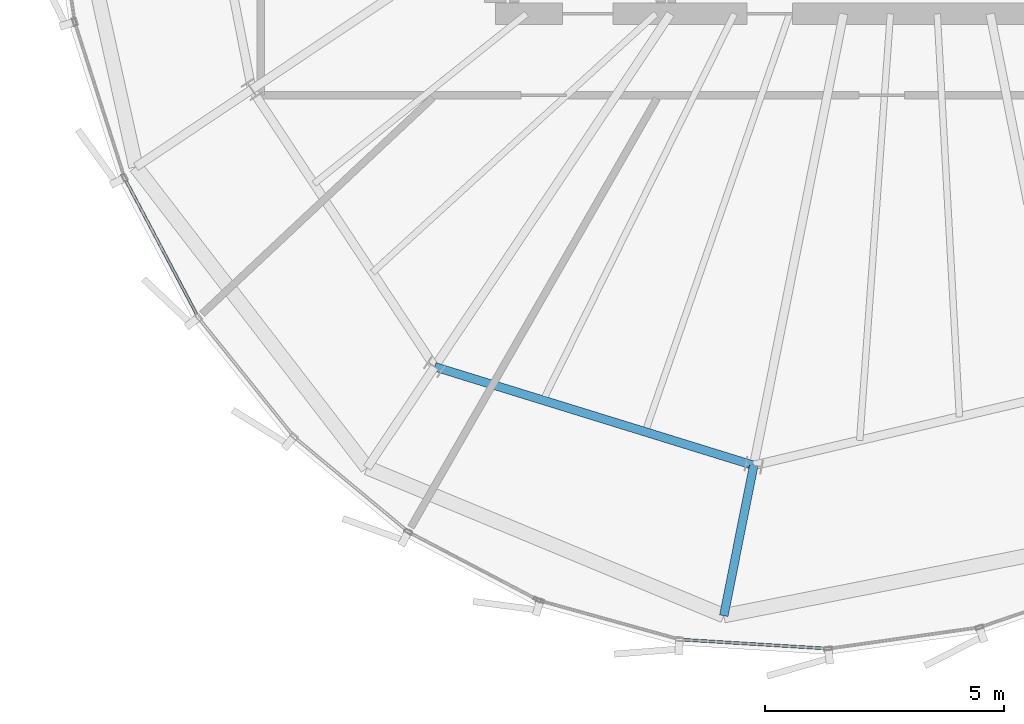
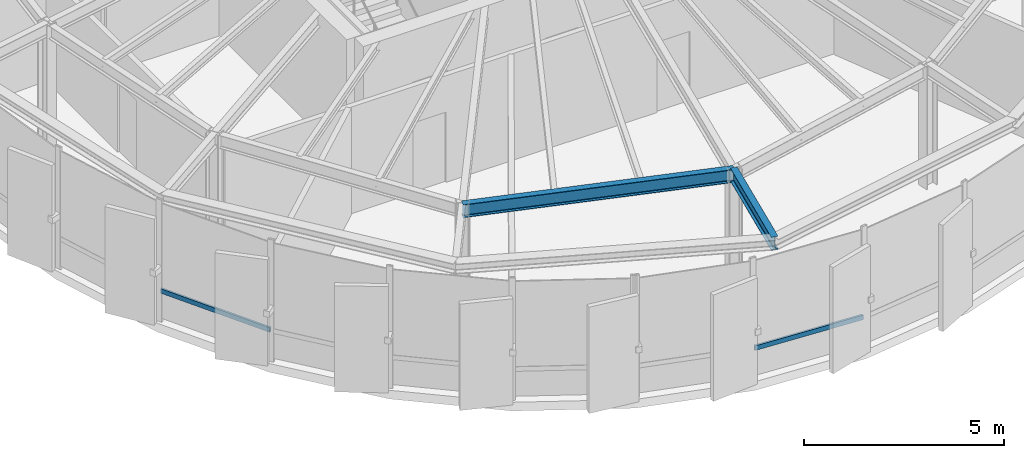
# One storey, part 3 of 27: 2 beams, 2 members, 2 elements without a shape of their own.
"""IFC4 building model written with IfcOpenShell, lengths in metres."""

from ifc_helpers import new_model, si_unit, direction, frame, origin, origin_2d, place, context, subcontext, project, spatial, hollow_rectangle, i_section, extrude, source, transform, mapped, material, layer, layer_set, material_profile, profile_set, type_object, element, aggregate, save


model = new_model("IFC4")

# Units and contexts
model_context = context("Model", 3, precision=1e-05, world=origin(), true_north=direction((0.0, 1.0)))
body_context = subcontext(model_context, "Body", "Model", "MODEL_VIEW")
ifc_project = project(units=[si_unit("LENGTHUNIT", "METRE"), si_unit("AREAUNIT", "SQUARE_METRE"), si_unit("VOLUMEUNIT", "CUBIC_METRE"), si_unit("PLANEANGLEUNIT", "RADIAN"), si_unit("MASSUNIT", "GRAM", prefix="KILO"), si_unit("THERMODYNAMICTEMPERATUREUNIT", "KELVIN")], contexts=[model_context])

# Site, building, storey
site_placement = place(None, origin())
site = spatial("IfcSite", under=ifc_project, at=site_placement, CompositionType="ELEMENT")
building_placement = place(site_placement, origin())
building = spatial("IfcBuilding", under=site, at=building_placement, Name="Kethvar Cultural Tower", CompositionType="ELEMENT")
storey_placement = place(building_placement, frame((0.0, 0.0, 308.300048828125)))
storey = spatial("IfcBuildingStorey", under=building, at=storey_placement, Name="L82", CompositionType="ELEMENT", Elevation=308.300048828125)

# Beams
ifc_material_1 = material(Name="Steel S355J2", Category="steel")
ifc_material_profile_1 = material_profile(ifc_material_1, i_section(OverallWidth=0.179931640625, OverallDepth=0.39990234375, WebThickness=0.008544921875, FlangeThickness=0.013427734375, FilletRadius=0.02099609375, at=origin_2d()), Name="Steel S355J2 — IPE400")
ifc_profile_set_1 = profile_set([ifc_material_profile_1], Name="Steel S355J2 — IPE400")
beam_type = type_object("IfcBeamType", Name="BM-IPE400", PredefinedType="BEAM", material=ifc_profile_set_1)
shared_shape_1 = source(origin(), body_context, "Body", "SweptSolid", [
    extrude(i_section(OverallWidth=0.179931640625, OverallDepth=0.39990234375, WebThickness=0.008544921875, FlangeThickness=0.013427734375, FilletRadius=0.02099609375, at=origin_2d()), origin(), (0.0, 0.0, 1.0), 3.2001953125),
])
beam_1_placement = place(storey_placement, frame((43.392822265625, 10.67138671875, 3.532958984375), z_axis=(-0.195074368086, -0.980788453702, 0.0), x_axis=(0.980788453702, -0.195074368086, 0.0)))
element("IfcBeam", 1, at=beam_1_placement, inside=storey, type_object=beam_type, Name="L82 Perimeter Cantilever Beam RC-12", PredefinedType="BEAM", context=body_context, shape_type="MappedRepresentation", body=[
    mapped(shared_shape_1, transform((0.0, 0.0, 0.0), scale=1.0)),
])
shared_shape_2 = source(origin(), body_context, "Body", "SweptSolid", [
    extrude(i_section(OverallWidth=0.179931640625, OverallDepth=0.39990234375, WebThickness=0.008544921875, FlangeThickness=0.013427734375, FilletRadius=0.02099609375, at=origin_2d()), origin(), (0.0, 0.0, 1.0), 6.97265625),
])
beam_2_placement = place(storey_placement, frame((36.731201171875, 12.73095703125, 3.532958984375), z_axis=(0.955381444404, -0.295374839295, 0.0), x_axis=(0.295374839295, 0.955381444404, 0.0)))
element("IfcBeam", 2, at=beam_2_placement, inside=storey, type_object=beam_type, Name="L82 Column Ring Tie Beam CR-11", PredefinedType="BEAM", context=body_context, shape_type="MappedRepresentation", body=[
    mapped(shared_shape_2, transform((0.0, 0.0, 0.0), scale=1.0)),
])

# Curtain wall, member
ifc_material_2 = material(Name="Aluminium 6063-T6", Category="aluminium")
ifc_layer = layer(ifc_material_2, 0.179931640625, Name="Aluminium 6063-T6", Category="aluminium")
ifc_layer_set = layer_set([ifc_layer], Name="Aluminium 6063-T6 (180 mm)")
curtain_wall_type = type_object("IfcCurtainWallType", Name="CW-SYS-06-CROWN", PredefinedType="NOTDEFINED", material=ifc_layer_set)
curtain_wall_1_placement = place(storey_placement, origin())
curtain_wall_1 = element("IfcCurtainWall", 3, at=curtain_wall_1_placement, inside=storey, type_object=curtain_wall_type, Name="L82 Curtain Wall Run 03", PredefinedType="NOTDEFINED")
ifc_material_profile_2 = material_profile(ifc_material_2, hollow_rectangle(XDim=0.06005859375, YDim=0.139892578125, WallThickness=0.0048828125, at=origin_2d()), Name="Aluminium 6063-T6 — RHS140x60x5")
ifc_profile_set_2 = profile_set([ifc_material_profile_2], Name="Aluminium 6063-T6 — RHS140x60x5")
member_type = type_object("IfcMemberType", Name="CW-SYS-06-CROWN-TRN", PredefinedType="USERDEFINED", material=ifc_profile_set_2)
shared_shape_3 = source(origin(), body_context, "Body", "SweptSolid", [
    extrude(hollow_rectangle(XDim=0.06005859375, YDim=0.139892578125, WallThickness=0.0048828125, at=origin_2d()), origin(), (0.0, 0.0, 1.0), 3.227783203125),
])
member_1_placement = place(storey_placement, frame((30.27490234375, 16.63427734375, 0.949951171875), z_axis=(0.467908572376, -0.883776876761, 0.0), x_axis=(0.883776876761, 0.467908572376, 0.0)))
member_1 = element("IfcMember", 4, at=member_1_placement, type_object=member_type, Name="CW-L82-R03 Transom 3", ObjectType="TRANSOM", PredefinedType="USERDEFINED", context=body_context, shape_type="MappedRepresentation", body=[
    mapped(shared_shape_3, transform((0.0, 0.0, 0.0), scale=1.0)),
])
aggregate(curtain_wall_1, [member_1])

curtain_wall_2_placement = place(storey_placement, origin())
curtain_wall_2 = element("IfcCurtainWall", 5, at=curtain_wall_2_placement, inside=storey, type_object=curtain_wall_type, Name="L82 Curtain Wall Run 04", PredefinedType="NOTDEFINED")
shared_shape_4 = source(origin(), body_context, "Body", "SweptSolid", [
    extrude(hollow_rectangle(XDim=0.06005859375, YDim=0.139892578125, WallThickness=0.0048828125, at=origin_2d()), origin(), (0.0, 0.0, 1.0), 3.0390625),
])
member_2_placement = place(storey_placement, frame((41.888427734375, 7.033203125, 0.949951171875), z_axis=(0.99812963332, -0.061132929654, 0.0), x_axis=(0.061132929654, 0.99812963332, 0.0)))
member_2 = element("IfcMember", 6, at=member_2_placement, type_object=member_type, Name="CW-L82-R04 Transom 2", ObjectType="TRANSOM", PredefinedType="USERDEFINED", context=body_context, shape_type="MappedRepresentation", body=[
    mapped(shared_shape_4, transform((0.0, 0.0, 0.0), scale=1.0)),
])
aggregate(curtain_wall_2, [member_2])

save(model, "model.ifc")
